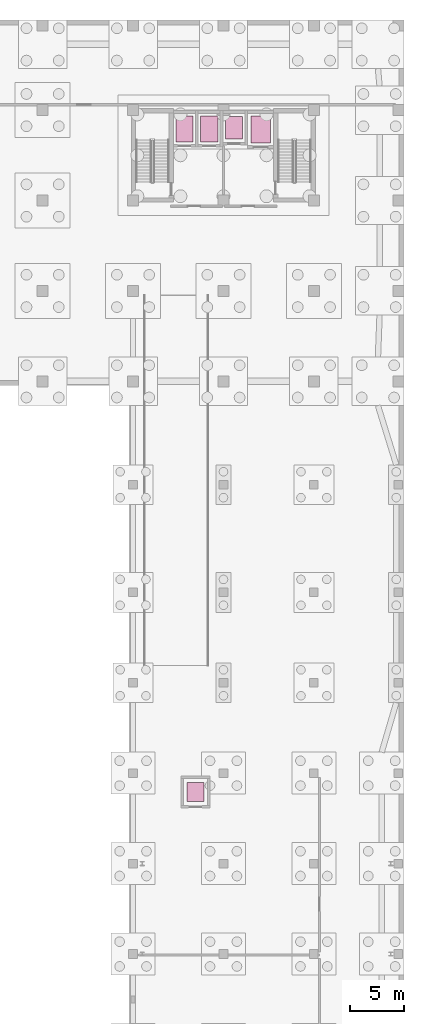
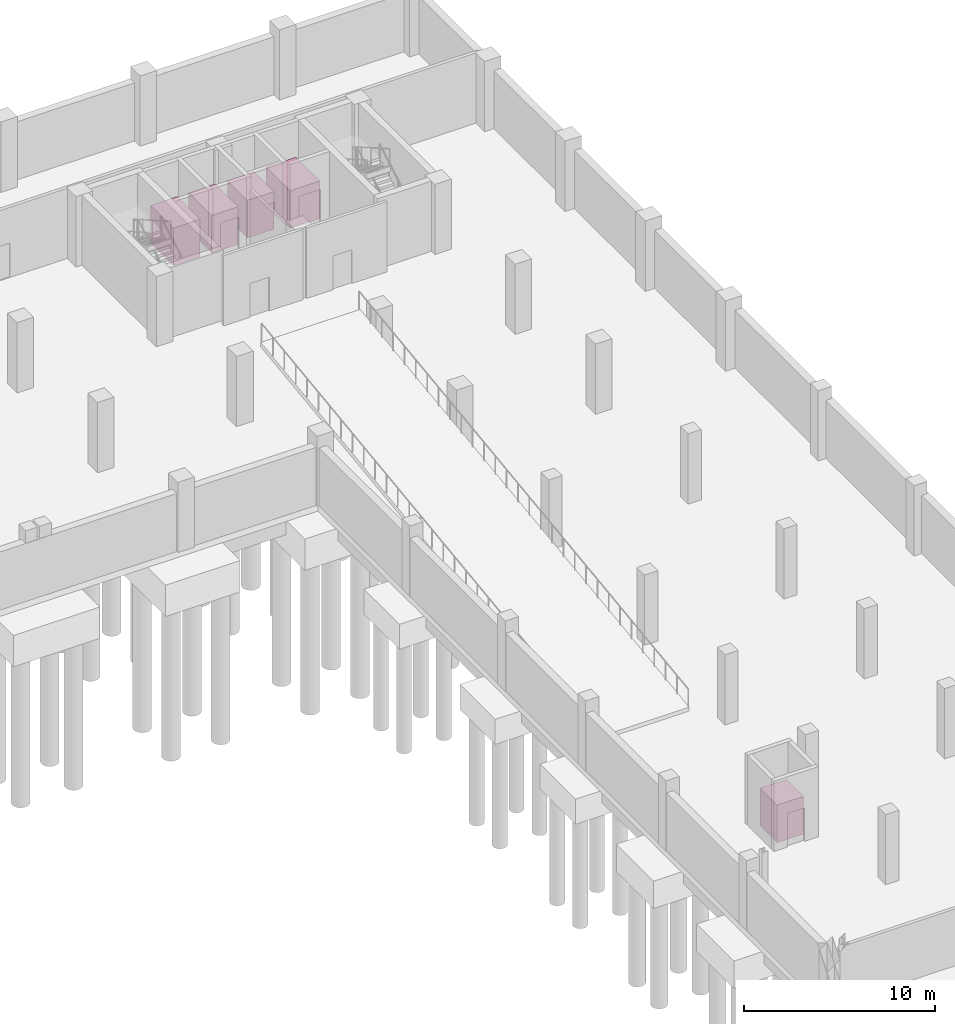
# One storey, part 18 of 18: 5 transport elements.
"""IFC4 building model written with IfcOpenShell, lengths in metres."""

from ifc_helpers import new_model, si_unit, direction, frame, origin, origin_2d, place, context, subcontext, project, spatial, rectangle, extrude, material, type_object, element, save


model = new_model("IFC4")

# Units and contexts
model_context = context("Model", 3, precision=1e-05, world=origin(), true_north=direction((0.0, 1.0)))
body_context = subcontext(model_context, "Body", "Model", "MODEL_VIEW")
ifc_project = project(units=[si_unit("LENGTHUNIT", "METRE"), si_unit("AREAUNIT", "SQUARE_METRE"), si_unit("VOLUMEUNIT", "CUBIC_METRE"), si_unit("PLANEANGLEUNIT", "RADIAN"), si_unit("MASSUNIT", "GRAM", prefix="KILO")], contexts=[model_context])

# Site, building, storey
site_placement = place(None, origin())
site = spatial("IfcSite", under=ifc_project, at=site_placement, CompositionType="ELEMENT")
building_placement = place(site_placement, origin())
building = spatial("IfcBuilding", under=site, at=building_placement, Name="Brinegate Botanical Conservatory", CompositionType="ELEMENT")
storey_placement = place(building_placement, frame((0.0, 0.0, -9.60009765625)))
storey = spatial("IfcBuildingStorey", under=building, at=storey_placement, Name="B2", CompositionType="ELEMENT", Elevation=-9.60009765625)

# Transport elements
ifc_material = material(Name="Brushed stainless steel S355 elevator cab", Category="steel")
transport_element_type_1 = type_object("IfcTransportElementType", Name="Lift_LF1", PredefinedType="ELEVATOR", material=ifc_material)
transport_element_1_placement = place(storey_placement, frame((143.574951171875, 101.85009765625, 0.000244140625), z_axis=(0.0, 0.0, 1.0), x_axis=(1.0, 0.0, 0.0)))
element("IfcTransportElement", 1, at=transport_element_1_placement, inside=storey, type_object=transport_element_type_1, Name="Firefighting Lift LF1", PredefinedType="ELEVATOR", context=body_context, shape_type="SweptSolid", body=[
    extrude(rectangle(XDim=1.60009765625, YDim=2.39990234375, at=origin_2d()), origin(), (0.0, 0.0, 1.0), 2.39990234375),
])
transport_element_type_2 = type_object("IfcTransportElementType", Name="Lift_LF2", PredefinedType="ELEVATOR", material=ifc_material)
transport_element_2_placement = place(storey_placement, frame((145.875, 101.85009765625, 0.000244140625), z_axis=(0.0, 0.0, 1.0), x_axis=(1.0, 0.0, 0.0)))
element("IfcTransportElement", 2, at=transport_element_2_placement, inside=storey, type_object=transport_element_type_2, Name="Firefighting Lift LF2", PredefinedType="ELEVATOR", context=body_context, shape_type="SweptSolid", body=[
    extrude(rectangle(XDim=1.60009765625, YDim=2.39990234375, at=origin_2d()), origin(), (0.0, 0.0, 1.0), 2.39990234375),
])
transport_element_type_3 = type_object("IfcTransportElementType", Name="Lift_LF3", PredefinedType="ELEVATOR", material=ifc_material)
transport_element_3_placement = place(storey_placement, frame((148.175048828125, 101.949951171875, 0.000244140625), z_axis=(0.0, 0.0, 1.0), x_axis=(1.0, 0.0, 0.0)))
element("IfcTransportElement", 3, at=transport_element_3_placement, inside=storey, type_object=transport_element_type_3, Name="Tower Passenger Lift LF3", PredefinedType="ELEVATOR", context=body_context, shape_type="SweptSolid", body=[
    extrude(rectangle(XDim=1.60009765625, YDim=2.10009765625, at=origin_2d()), origin(), (0.0, 0.0, 1.0), 2.39990234375),
])
transport_element_type_4 = type_object("IfcTransportElementType", Name="Lift_LF4", PredefinedType="ELEVATOR", material=ifc_material)
transport_element_4_placement = place(storey_placement, frame((150.64990234375, 101.800048828125, 0.000244140625), z_axis=(0.0, 0.0, 1.0), x_axis=(1.0, 0.0, 0.0)))
element("IfcTransportElement", 4, at=transport_element_4_placement, inside=storey, type_object=transport_element_type_4, Name="Herbarium Clean Goods Lift LF4", PredefinedType="ELEVATOR", context=body_context, shape_type="SweptSolid", body=[
    extrude(rectangle(XDim=1.800048828125, YDim=2.5, at=origin_2d()), origin(), (0.0, 0.0, 1.0), 2.39990234375),
])
transport_element_type_5 = type_object("IfcTransportElementType", Name="Lift_LF6", PredefinedType="ELEVATOR", material=ifc_material)
transport_element_5_placement = place(storey_placement, frame((144.60009765625, 40.25, 0.000244140625), z_axis=(0.0, 0.0, 1.0), x_axis=(1.0, 0.0, 0.0)))
element("IfcTransportElement", 5, at=transport_element_5_placement, inside=storey, type_object=transport_element_type_5, Name="Auditorium Passenger Lift LF6", PredefinedType="ELEVATOR", context=body_context, shape_type="SweptSolid", body=[
    extrude(rectangle(XDim=1.60009765625, YDim=1.800048828125, at=origin_2d()), origin(), (0.0, 0.0, 1.0), 2.39990234375),
])

save(model, "model.ifc")
